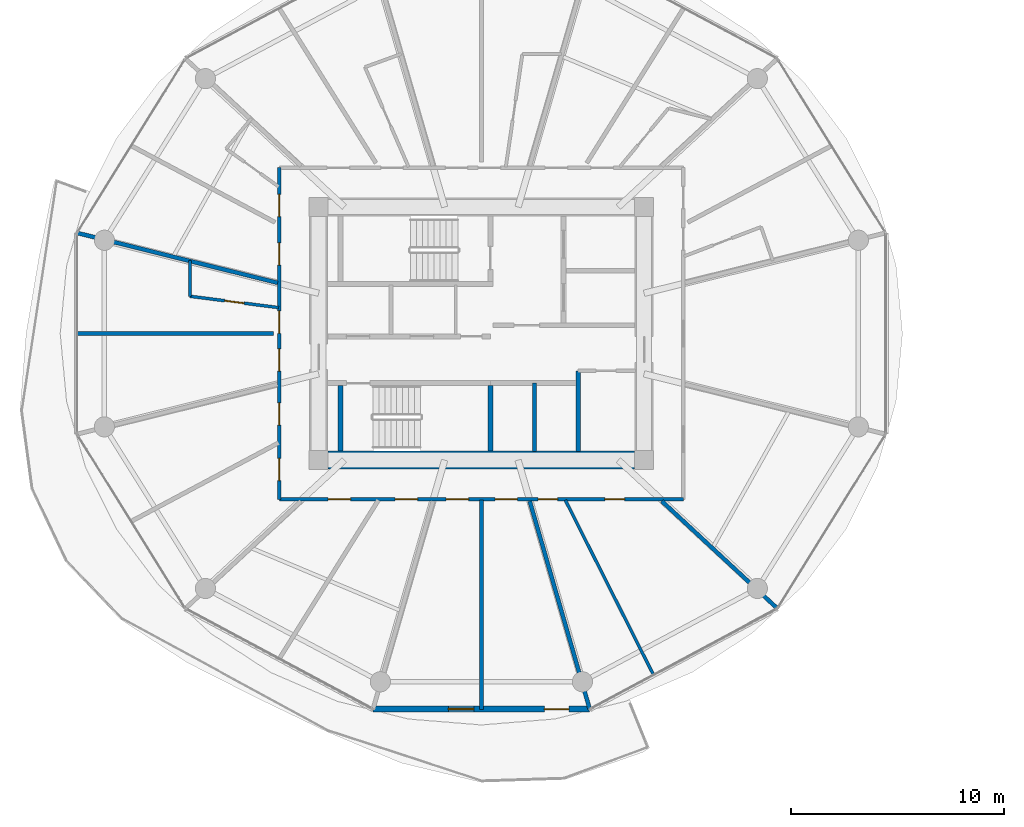
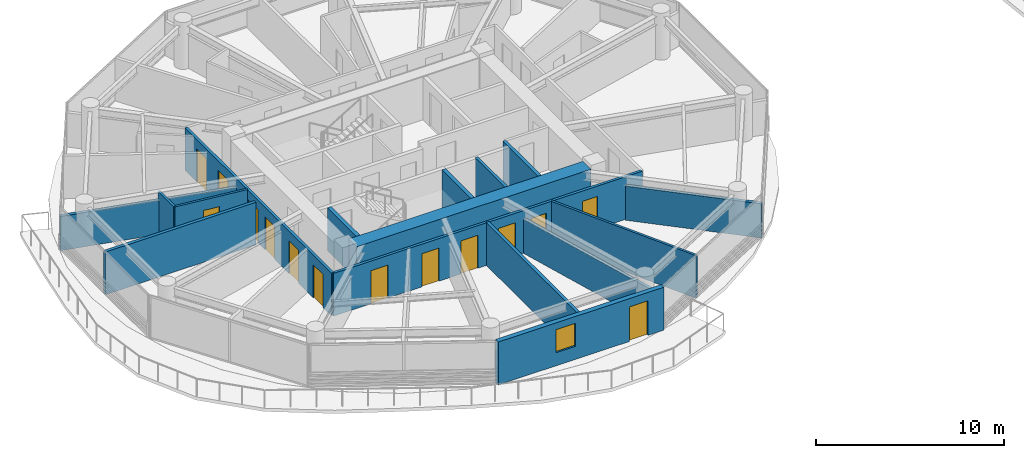
# One storey, part 15 of 27: 16 walls, 14 doors, 1 window, 15 openings.
"""IFC4 building model written with IfcOpenShell, lengths in metres."""

from ifc_helpers import new_model, si_unit, direction, frame, frame_2d, origin, place, context, subcontext, project, spatial, rectangle, extrude, source, transform, mapped, material, layer, layer_set, type_object, type_shapes, element, fill, save


model = new_model("IFC4")

# Units and contexts
model_context = context("Model", 3, precision=1e-05, world=origin(), true_north=direction((0.0, 1.0)))
body_context = subcontext(model_context, "Body", "Model", "MODEL_VIEW")
ifc_project = project(units=[si_unit("LENGTHUNIT", "METRE"), si_unit("AREAUNIT", "SQUARE_METRE"), si_unit("VOLUMEUNIT", "CUBIC_METRE"), si_unit("PLANEANGLEUNIT", "RADIAN"), si_unit("MASSUNIT", "GRAM", prefix="KILO")], contexts=[model_context])

# Site, building, storey
site_placement = place(None, origin())
site = spatial("IfcSite", under=ifc_project, at=site_placement, CompositionType="ELEMENT")
building_placement = place(site_placement, origin())
building = spatial("IfcBuilding", under=site, at=building_placement, Name="Norrkilde Senior Care Towers", CompositionType="ELEMENT")
storey_placement = place(building_placement, frame((0.0, 0.0, 46.0)))
storey = spatial("IfcBuildingStorey", under=building, at=storey_placement, Name="L13", CompositionType="ELEMENT", Elevation=46.0)

# Wall
ifc_material_1 = material(Name="Concrete C60/75", Category="concrete")
ifc_layer_1 = layer(ifc_material_1, 0.85009765625)
ifc_layer_set_1 = layer_set([ifc_layer_1], Name="Concrete C60/75")
wall_type_1 = type_object("IfcWallType", Name="Core Shear Wall Z1 850", PredefinedType="SHEAR", material=ifc_layer_set_1)
shared_shape_1 = source(origin(), body_context, "Body", "SweptSolid", [
    extrude(rectangle(XDim=14.39990234375, YDim=0.85009765625, at=frame_2d((7.199951171875, 0.0))), origin(), (0.0, 0.0, 1.0), 2.7900390625),
])
type_shapes(wall_type_1, [shared_shape_1])
wall_1_placement = place(storey_placement, frame((-20.800048828125, -5.949951171875, 0.0), z_axis=(0.0, 0.0, 1.0), x_axis=(-1.0, 0.0, 0.0)))
element("IfcWall", 1, at=wall_1_placement, inside=storey, type_object=wall_type_1, Name="L13 Core W South Shear Wall", PredefinedType="SHEAR", context=body_context, shape_type="MappedRepresentation", body=[
    mapped(shared_shape_1, transform((0.0, 0.0, 0.0), x_axis=(1.0, 0.0, 0.0), y_axis=(0.0, 1.0, 0.0), z_axis=(0.0, 0.0, 1.0), scale=1.0)),
])

# Wall, openings, door, window
ifc_material_2 = material(Name="Precast concrete C45/55", Category="concrete")
ifc_layer_2 = layer(ifc_material_2, 0.2900390625)
ifc_layer_set_2 = layer_set([ifc_layer_2], Name="Precast concrete C45/55")
wall_type_2 = type_object("IfcWallType", Name="Winter Garden Facade Wall 290", PredefinedType="SOLIDWALL", material=ifc_layer_set_2)
shared_shape_2 = source(origin(), body_context, "Body", "SweptSolid", [
    extrude(rectangle(XDim=10.18701171875, YDim=0.2900390625, at=frame_2d((5.093505859375, 0.0))), origin(), (0.0, 0.0, 1.0), 2.7900390625),
])
type_shapes(wall_type_2, [shared_shape_2])
wall_2_placement = place(storey_placement, frame((-22.906494140625, -17.6572265625, 0.0), z_axis=(0.0, 0.0, 1.0), x_axis=(-1.0, 0.0, 0.0)))
wall_2 = element("IfcWall", 2, at=wall_2_placement, inside=storey, type_object=wall_type_2, Name="L13 Drum W Balcony Access Wall 08", PredefinedType="SOLIDWALL", context=body_context, shape_type="MappedRepresentation", body=[
    mapped(shared_shape_2, transform((0.0, 0.0, 0.0), x_axis=(1.0, 0.0, 0.0), y_axis=(0.0, 1.0, 0.0), z_axis=(0.0, 0.0, 1.0), scale=1.0)),
])
opening_1_placement = place(wall_2_placement, frame((0.97998046875, 0.0, 0.0)))
opening_1 = element("IfcOpeningElement", 3, at=opening_1_placement, cuts=wall_2, Name="Opening D-09", PredefinedType="OPENING", context=body_context, shape_type="SweptSolid", body=[
    extrude(rectangle(XDim=1.14990234375, YDim=2.25, at=frame_2d((0.574951171875, 1.125))), frame((0.0, 0.155029296875, 0.0), z_axis=(0.0, -1.0, 0.0), x_axis=(1.0, 0.0, 0.0)), (0.0, 0.0, 1.0), 0.31005859375),
])
opening_2_placement = place(wall_2_placement, frame((5.443603515625, 0.0, 0.85009765625)))
opening_2 = element("IfcOpeningElement", 4, at=opening_2_placement, cuts=wall_2, Name="Opening WN-07", PredefinedType="OPENING", context=body_context, shape_type="SweptSolid", body=[
    extrude(rectangle(XDim=1.199951171875, YDim=1.5, at=frame_2d((0.60009765625, 0.75))), frame((0.0, 0.155029296875, 0.0), z_axis=(0.0, -1.0, 0.0), x_axis=(1.0, 0.0, 0.0)), (0.0, 0.0, 1.0), 0.31005859375),
])
ifc_material_3 = material(Name="Anodised Aluminium", Category="aluminium")
door_type_1 = type_object("IfcDoorType", Name="Terrace and Balcony Glazed Door 1150x2250", OperationType="NOTDEFINED", PredefinedType="DOOR", material=ifc_material_3)
shared_shape_3 = source(origin(), body_context, "Body", "SweptSolid", [
    extrude(rectangle(XDim=1.14990234375, YDim=2.25, at=frame_2d((0.574951171875, 1.125))), frame((0.0, 0.02490234375, 0.0), z_axis=(0.0, -1.0, 0.0), x_axis=(1.0, 0.0, 0.0)), (0.0, 0.0, 1.0), 0.050048828125),
])
type_shapes(door_type_1, [shared_shape_3])
door_1_placement = place(opening_1_placement, origin())
door_1 = element("IfcDoor", 5, at=door_1_placement, inside=storey, type_object=door_type_1, Name="L13 Drum W Outdoor Terrace Door 08", OperationType="SINGLE_SWING_LEFT", OverallHeight=2.25, OverallWidth=1.14990234375, PredefinedType="DOOR", context=body_context, shape_type="MappedRepresentation", body=[
    mapped(shared_shape_3, transform((0.0, 0.0, 0.0), x_axis=(1.0, 0.0, 0.0), y_axis=(0.0, 1.0, 0.0), z_axis=(0.0, 0.0, 1.0), scale=1.0)),
])
fill(opening_1, door_1)
ifc_material_4 = material(Name="Triple Low-E Insulated Glazing", Category="glass")
window_type = type_object("IfcWindowType", Name="Stairwell Smoke Vent Window 1200x1500", PartitioningType="SINGLE_PANEL", PredefinedType="WINDOW", material=ifc_material_4)
shared_shape_4 = source(origin(), body_context, "Body", "SweptSolid", [
    extrude(rectangle(XDim=1.199951171875, YDim=1.5, at=frame_2d((0.60009765625, 0.75))), frame((0.0, 0.030029296875, 0.0), z_axis=(0.0, -1.0, 0.0), x_axis=(1.0, 0.0, 0.0)), (0.0, 0.0, 1.0), 0.06005859375),
])
type_shapes(window_type, [shared_shape_4])
window_placement = place(opening_2_placement, origin())
window = element("IfcWindow", 6, at=window_placement, inside=storey, type_object=window_type, Name="L13 Drum W Winter Garden Window 08", OverallHeight=1.5, OverallWidth=1.199951171875, PartitioningType="SINGLE_PANEL", PredefinedType="WINDOW", context=body_context, shape_type="MappedRepresentation", body=[
    mapped(shared_shape_4, transform((0.0, 0.0, 0.0), x_axis=(1.0, 0.0, 0.0), y_axis=(0.0, 1.0, 0.0), z_axis=(0.0, 0.0, 1.0), scale=1.0)),
])
fill(opening_2, window)

# Walls
ifc_material_5 = material(Name="Concrete C45/55", Category="concrete")
ifc_layer_3 = layer(ifc_material_5, 0.199951171875)
ifc_layer_set_3 = layer_set([ifc_layer_3], Name="Concrete C45/55")
wall_type_3 = type_object("IfcWallType", Name="Shaft Division and Plant Partition 200", PredefinedType="PARTITIONING", material=ifc_layer_set_3)
shared_shape_5 = source(origin(), body_context, "Body", "SweptSolid", [
    extrude(rectangle(XDim=3.800048828125, YDim=0.199951171875, at=frame_2d((1.89990234375, 0.0))), origin(), (0.0, 0.0, 1.0), 2.77490234375),
])
type_shapes(wall_type_3, [shared_shape_5])
wall_3_placement = place(storey_placement, frame((-23.449951171875, -5.550048828125, 0.0), z_axis=(0.0, 0.0, 1.0), x_axis=(0.0, 1.0, 0.0)))
element("IfcWall", 7, at=wall_3_placement, inside=storey, type_object=wall_type_3, Name="WL-INT-L13-W-PKBE", PredefinedType="PARTITIONING", context=body_context, shape_type="MappedRepresentation", body=[
    mapped(shared_shape_5, transform((0.0, 0.0, 0.0), x_axis=(1.0, 0.0, 0.0), y_axis=(0.0, 1.0, 0.0), z_axis=(0.0, 0.0, 1.0), scale=1.0)),
])
ifc_layer_4 = layer(ifc_material_5, 0.179931640625)
ifc_layer_set_4 = layer_set([ifc_layer_4], Name="Concrete C45/55")
wall_type_4 = type_object("IfcWallType", Name="Hoistway Division Rated Partition 180", PredefinedType="PARTITIONING", material=ifc_layer_set_4)
shared_shape_6 = source(origin(), body_context, "Body", "SweptSolid", [
    extrude(rectangle(XDim=3.219970703125, YDim=0.179931640625, at=frame_2d((1.60986328125, 0.0))), origin(), (0.0, 0.0, 1.0), 2.77490234375),
])
type_shapes(wall_type_4, [shared_shape_6])
wall_4_placement = place(storey_placement, frame((-25.5, -5.550048828125, 0.0), z_axis=(0.0, 0.0, 1.0), x_axis=(0.0, 1.0, 0.0)))
element("IfcWall", 8, at=wall_4_placement, inside=storey, type_object=wall_type_4, Name="WL-INT-L13-W-PL34", PredefinedType="PARTITIONING", context=body_context, shape_type="MappedRepresentation", body=[
    mapped(shared_shape_6, transform((0.0, 0.0, 0.0), x_axis=(1.0, 0.0, 0.0), y_axis=(0.0, 1.0, 0.0), z_axis=(0.0, 0.0, 1.0), scale=1.0)),
])

# Wall, openings, doors
ifc_material_6 = material(Name="Gypsum Acoustic Board")
ifc_layer_5 = layer(ifc_material_6, 0.1650390625)
ifc_layer_set_5 = layer_set([ifc_layer_5], Name="Gypsum Acoustic Board")
wall_type_5 = type_object("IfcWallType", Name="Corridor Rated Partition 165", PredefinedType="PARTITIONING", material=ifc_layer_set_5)
shared_shape_7 = source(origin(), body_context, "Body", "SweptSolid", [
    extrude(rectangle(XDim=19.0, YDim=0.1650390625, at=frame_2d((9.5, 0.0))), origin(), (0.0, 0.0, 1.0), 2.77490234375),
])
wall_5_placement = place(storey_placement, frame((-18.5, -7.800048828125, 0.0), z_axis=(0.0, 0.0, 1.0), x_axis=(-1.0, 0.0, 0.0)))
wall_5 = element("IfcWall", 9, at=wall_5_placement, inside=storey, type_object=wall_type_5, Name="WL-INT-L13-W-CRW-S-0", PredefinedType="PARTITIONING", context=body_context, shape_type="MappedRepresentation", body=[
    mapped(shared_shape_7, transform((0.0, 0.0, 0.0), x_axis=(1.0, 0.0, 0.0), y_axis=(0.0, 1.0, 0.0), z_axis=(0.0, 0.0, 1.0), scale=1.0)),
])
opening_3_placement = place(wall_5_placement, frame((15.65185546875, 0.0, 0.0)))
opening_3 = element("IfcOpeningElement", 10, at=opening_3_placement, cuts=wall_5, Name="Opening D-06", PredefinedType="OPENING", context=body_context, shape_type="SweptSolid", body=[
    extrude(rectangle(XDim=1.050048828125, YDim=2.14990234375, at=frame_2d((0.52490234375, 1.074951171875))), frame((0.0, 0.092529296875, 0.0), z_axis=(0.0, -1.0, 0.0), x_axis=(1.0, 0.0, 0.0)), (0.0, 0.0, 1.0), 0.18505859375),
])
opening_4_placement = place(wall_5_placement, frame((12.5, 0.0, 0.0)))
opening_4 = element("IfcOpeningElement", 11, at=opening_4_placement, cuts=wall_5, Name="Opening D-06", PredefinedType="OPENING", context=body_context, shape_type="SweptSolid", body=[
    extrude(rectangle(XDim=1.050048828125, YDim=2.14990234375, at=frame_2d((0.52490234375, 1.074951171875))), frame((0.0, 0.092529296875, 0.0), z_axis=(0.0, -1.0, 0.0), x_axis=(1.0, 0.0, 0.0)), (0.0, 0.0, 1.0), 0.18505859375),
])
opening_5_placement = place(wall_5_placement, frame((10.103759765625, 0.0, 0.0)))
opening_5 = element("IfcOpeningElement", 12, at=opening_5_placement, cuts=wall_5, Name="Opening D-06", PredefinedType="OPENING", context=body_context, shape_type="SweptSolid", body=[
    extrude(rectangle(XDim=1.050048828125, YDim=2.14990234375, at=frame_2d((0.52490234375, 1.074951171875))), frame((0.0, 0.092529296875, 0.0), z_axis=(0.0, -1.0, 0.0), x_axis=(1.0, 0.0, 0.0)), (0.0, 0.0, 1.0), 0.18505859375),
])
opening_6_placement = place(wall_5_placement, frame((7.806396484375, 0.0, 0.0)))
opening_6 = element("IfcOpeningElement", 13, at=opening_6_placement, cuts=wall_5, Name="Opening D-06", PredefinedType="OPENING", context=body_context, shape_type="SweptSolid", body=[
    extrude(rectangle(XDim=1.050048828125, YDim=2.14990234375, at=frame_2d((0.52490234375, 1.074951171875))), frame((0.0, 0.092529296875, 0.0), z_axis=(0.0, -1.0, 0.0), x_axis=(1.0, 0.0, 0.0)), (0.0, 0.0, 1.0), 0.18505859375),
])
opening_7_placement = place(wall_5_placement, frame((5.915283203125, 0.0, 0.0)))
opening_7 = element("IfcOpeningElement", 14, at=opening_7_placement, cuts=wall_5, Name="Opening D-08", PredefinedType="OPENING", context=body_context, shape_type="SweptSolid", body=[
    extrude(rectangle(XDim=0.919921875, YDim=2.10009765625, at=frame_2d((0.4599609375, 1.050048828125))), frame((0.0, 0.092529296875, 0.0), z_axis=(0.0, -1.0, 0.0), x_axis=(1.0, 0.0, 0.0)), (0.0, 0.0, 1.0), 0.18505859375),
])
opening_8_placement = place(wall_5_placement, frame((2.76904296875, 0.0, 0.0)))
opening_8 = element("IfcOpeningElement", 15, at=opening_8_placement, cuts=wall_5, Name="Opening D-08", PredefinedType="OPENING", context=body_context, shape_type="SweptSolid", body=[
    extrude(rectangle(XDim=0.919921875, YDim=2.10009765625, at=frame_2d((0.4599609375, 1.050048828125))), frame((0.0, 0.092529296875, 0.0), z_axis=(0.0, -1.0, 0.0), x_axis=(1.0, 0.0, 0.0)), (0.0, 0.0, 1.0), 0.18505859375),
])
ifc_material_7 = material(Name="Nordic Ash Timber", Category="wood")
door_type_2 = type_object("IfcDoorType", Name="Accessible Wet Room Door 920x2100", OperationType="NOTDEFINED", PredefinedType="DOOR", material=ifc_material_7)
shared_shape_8 = source(origin(), body_context, "Body", "SweptSolid", [
    extrude(rectangle(XDim=0.919921875, YDim=2.10009765625, at=frame_2d((0.4599609375, 1.050048828125))), frame((0.0, 0.02490234375, 0.0), z_axis=(0.0, -1.0, 0.0), x_axis=(1.0, 0.0, 0.0)), (0.0, 0.0, 1.0), 0.050048828125),
])
type_shapes(door_type_2, [shared_shape_8])
door_2_placement = place(opening_7_placement, frame((0.919921875, 0.0, 0.0), z_axis=(0.0, 0.0, 1.0), x_axis=(-1.0, 0.0, 0.0)))
door_2 = element("IfcDoor", 16, at=door_2_placement, inside=storey, type_object=door_type_2, Name="L13 Accessible Restroom Door", OperationType="SINGLE_SWING_RIGHT", OverallHeight=2.10009765625, OverallWidth=0.919921875, PredefinedType="DOOR", context=body_context, shape_type="MappedRepresentation", body=[
    mapped(shared_shape_8, transform((0.0, 0.0, 0.0), x_axis=(1.0, 0.0, 0.0), y_axis=(0.0, 1.0, 0.0), z_axis=(0.0, 0.0, 1.0), scale=1.0)),
])
fill(opening_7, door_2)
door_3_placement = place(opening_8_placement, frame((0.919921875, 0.0, 0.0), z_axis=(0.0, 0.0, 1.0), x_axis=(-1.0, 0.0, 0.0)))
door_3 = element("IfcDoor", 17, at=door_3_placement, inside=storey, type_object=door_type_2, Name="L13 Public Restroom Door", OperationType="SINGLE_SWING_LEFT", OverallHeight=2.10009765625, OverallWidth=0.919921875, PredefinedType="DOOR", context=body_context, shape_type="MappedRepresentation", body=[
    mapped(shared_shape_8, transform((0.0, 0.0, 0.0), x_axis=(1.0, 0.0, 0.0), y_axis=(0.0, 1.0, 0.0), z_axis=(0.0, 0.0, 1.0), scale=1.0)),
])
fill(opening_8, door_3)
door_type_3 = type_object("IfcDoorType", Name="Apartment Entrance Fire Door 1050x2150", OperationType="NOTDEFINED", PredefinedType="DOOR", material=ifc_material_7)
shared_shape_9 = source(origin(), body_context, "Body", "SweptSolid", [
    extrude(rectangle(XDim=1.050048828125, YDim=2.14990234375, at=frame_2d((0.52490234375, 1.074951171875))), frame((0.0, 0.02490234375, 0.0), z_axis=(0.0, -1.0, 0.0), x_axis=(1.0, 0.0, 0.0)), (0.0, 0.0, 1.0), 0.050048828125),
])
type_shapes(door_type_3, [shared_shape_9])
door_4_placement = place(opening_3_placement, frame((1.050048828125, 0.0, 0.0), z_axis=(0.0, 0.0, 1.0), x_axis=(-1.0, 0.0, 0.0)))
door_4 = element("IfcDoor", 18, at=door_4_placement, inside=storey, type_object=door_type_3, Name="L13 Physiotherapy Clinic 7A Door", OperationType="SINGLE_SWING_RIGHT", OverallHeight=2.14990234375, OverallWidth=1.050048828125, PredefinedType="DOOR", context=body_context, shape_type="MappedRepresentation", body=[
    mapped(shared_shape_9, transform((0.0, 0.0, 0.0), x_axis=(1.0, 0.0, 0.0), y_axis=(0.0, 1.0, 0.0), z_axis=(0.0, 0.0, 1.0), scale=1.0)),
])
fill(opening_3, door_4)
door_5_placement = place(opening_4_placement, frame((1.050048828125, 0.0, 0.0), z_axis=(0.0, 0.0, 1.0), x_axis=(-1.0, 0.0, 0.0)))
door_5 = element("IfcDoor", 19, at=door_5_placement, inside=storey, type_object=door_type_3, Name="L13 Assessment Clinic 7B Door", OperationType="SINGLE_SWING_LEFT", OverallHeight=2.14990234375, OverallWidth=1.050048828125, PredefinedType="DOOR", context=body_context, shape_type="MappedRepresentation", body=[
    mapped(shared_shape_9, transform((0.0, 0.0, 0.0), x_axis=(1.0, 0.0, 0.0), y_axis=(0.0, 1.0, 0.0), z_axis=(0.0, 0.0, 1.0), scale=1.0)),
])
fill(opening_4, door_5)
door_6_placement = place(opening_5_placement, frame((1.050048828125, 0.0, 0.0), z_axis=(0.0, 0.0, 1.0), x_axis=(-1.0, 0.0, 0.0)))
door_6 = element("IfcDoor", 20, at=door_6_placement, inside=storey, type_object=door_type_3, Name="L13 Physiotherapy Clinic 8A Door", OperationType="SINGLE_SWING_LEFT", OverallHeight=2.14990234375, OverallWidth=1.050048828125, PredefinedType="DOOR", context=body_context, shape_type="MappedRepresentation", body=[
    mapped(shared_shape_9, transform((0.0, 0.0, 0.0), x_axis=(1.0, 0.0, 0.0), y_axis=(0.0, 1.0, 0.0), z_axis=(0.0, 0.0, 1.0), scale=1.0)),
])
fill(opening_5, door_6)
door_7_placement = place(opening_6_placement, frame((1.050048828125, 0.0, 0.0), z_axis=(0.0, 0.0, 1.0), x_axis=(-1.0, 0.0, 0.0)))
door_7 = element("IfcDoor", 21, at=door_7_placement, inside=storey, type_object=door_type_3, Name="L13 Assessment Clinic 8B Door", OperationType="SINGLE_SWING_RIGHT", OverallHeight=2.14990234375, OverallWidth=1.050048828125, PredefinedType="DOOR", context=body_context, shape_type="MappedRepresentation", body=[
    mapped(shared_shape_9, transform((0.0, 0.0, 0.0), x_axis=(1.0, 0.0, 0.0), y_axis=(0.0, 1.0, 0.0), z_axis=(0.0, 0.0, 1.0), scale=1.0)),
])
fill(opening_6, door_7)

shared_shape_10 = source(origin(), body_context, "Body", "SweptSolid", [
    extrude(rectangle(XDim=15.60009765625, YDim=0.1650390625, at=frame_2d((7.800048828125, 0.0))), origin(), (0.0, 0.0, 1.0), 2.77490234375),
])
type_shapes(wall_type_5, [shared_shape_7, shared_shape_10])
wall_6_placement = place(storey_placement, frame((-37.5, -7.800048828125, 0.0), z_axis=(0.0, 0.0, 1.0), x_axis=(0.0, 1.0, 0.0)))
wall_6 = element("IfcWall", 22, at=wall_6_placement, inside=storey, type_object=wall_type_5, Name="WL-INT-L13-W-CRW-W-0", PredefinedType="PARTITIONING", context=body_context, shape_type="MappedRepresentation", body=[
    mapped(shared_shape_10, transform((0.0, 0.0, 0.0), x_axis=(1.0, 0.0, 0.0), y_axis=(0.0, 1.0, 0.0), z_axis=(0.0, 0.0, 1.0), scale=1.0)),
])
opening_9_placement = place(wall_6_placement, frame((13.293212890625, 0.0, 0.0)))
opening_9 = element("IfcOpeningElement", 23, at=opening_9_placement, cuts=wall_6, Name="Opening D-06", PredefinedType="OPENING", context=body_context, shape_type="SweptSolid", body=[
    extrude(rectangle(XDim=1.050048828125, YDim=2.14990234375, at=frame_2d((0.52490234375, 1.074951171875))), frame((0.0, 0.092529296875, 0.0), z_axis=(0.0, -1.0, 0.0), x_axis=(1.0, 0.0, 0.0)), (0.0, 0.0, 1.0), 0.18505859375),
])
opening_10_placement = place(wall_6_placement, frame((11.017822265625, 0.0, 0.0)))
opening_10 = element("IfcOpeningElement", 24, at=opening_10_placement, cuts=wall_6, Name="Opening D-06", PredefinedType="OPENING", context=body_context, shape_type="SweptSolid", body=[
    extrude(rectangle(XDim=1.050048828125, YDim=2.14990234375, at=frame_2d((0.52490234375, 1.074951171875))), frame((0.0, 0.092529296875, 0.0), z_axis=(0.0, -1.0, 0.0), x_axis=(1.0, 0.0, 0.0)), (0.0, 0.0, 1.0), 0.18505859375),
])
opening_11_placement = place(wall_6_placement, frame((7.811767578125, 0.0, 0.0)))
opening_11 = element("IfcOpeningElement", 25, at=opening_11_placement, cuts=wall_6, Name="Opening D-06", PredefinedType="OPENING", context=body_context, shape_type="SweptSolid", body=[
    extrude(rectangle(XDim=1.050048828125, YDim=2.14990234375, at=frame_2d((0.52490234375, 1.074951171875))), frame((0.0, 0.092529296875, 0.0), z_axis=(0.0, -1.0, 0.0), x_axis=(1.0, 0.0, 0.0)), (0.0, 0.0, 1.0), 0.18505859375),
])
opening_12_placement = place(wall_6_placement, frame((6.03466796875, 0.0, 0.0)))
opening_12 = element("IfcOpeningElement", 26, at=opening_12_placement, cuts=wall_6, Name="Opening D-06", PredefinedType="OPENING", context=body_context, shape_type="SweptSolid", body=[
    extrude(rectangle(XDim=1.050048828125, YDim=2.14990234375, at=frame_2d((0.52490234375, 1.074951171875))), frame((0.0, 0.092529296875, 0.0), z_axis=(0.0, -1.0, 0.0), x_axis=(1.0, 0.0, 0.0)), (0.0, 0.0, 1.0), 0.18505859375),
])
opening_13_placement = place(wall_6_placement, frame((3.489013671875, 0.0, 0.0)))
opening_13 = element("IfcOpeningElement", 27, at=opening_13_placement, cuts=wall_6, Name="Opening D-06", PredefinedType="OPENING", context=body_context, shape_type="SweptSolid", body=[
    extrude(rectangle(XDim=1.050048828125, YDim=2.14990234375, at=frame_2d((0.52490234375, 1.074951171875))), frame((0.0, 0.092529296875, 0.0), z_axis=(0.0, -1.0, 0.0), x_axis=(1.0, 0.0, 0.0)), (0.0, 0.0, 1.0), 0.18505859375),
])
opening_14_placement = place(wall_6_placement, frame((0.881591796875, 0.0, 0.0)))
opening_14 = element("IfcOpeningElement", 28, at=opening_14_placement, cuts=wall_6, Name="Opening D-06", PredefinedType="OPENING", context=body_context, shape_type="SweptSolid", body=[
    extrude(rectangle(XDim=1.050048828125, YDim=2.14990234375, at=frame_2d((0.52490234375, 1.074951171875))), frame((0.0, 0.092529296875, 0.0), z_axis=(0.0, -1.0, 0.0), x_axis=(1.0, 0.0, 0.0)), (0.0, 0.0, 1.0), 0.18505859375),
])
door_8_placement = place(opening_9_placement, frame((1.050048828125, 0.0, 0.0), z_axis=(0.0, 0.0, 1.0), x_axis=(-1.0, 0.0, 0.0)))
door_8 = element("IfcDoor", 29, at=door_8_placement, inside=storey, type_object=door_type_3, Name="L13 Care Suite 1304A Entrance Door", OperationType="SINGLE_SWING_RIGHT", OverallHeight=2.14990234375, OverallWidth=1.050048828125, PredefinedType="DOOR", context=body_context, shape_type="MappedRepresentation", body=[
    mapped(shared_shape_9, transform((0.0, 0.0, 0.0), x_axis=(1.0, 0.0, 0.0), y_axis=(0.0, 1.0, 0.0), z_axis=(0.0, 0.0, 1.0), scale=1.0)),
])
fill(opening_9, door_8)
door_9_placement = place(opening_10_placement, frame((1.050048828125, 0.0, 0.0), z_axis=(0.0, 0.0, 1.0), x_axis=(-1.0, 0.0, 0.0)))
door_9 = element("IfcDoor", 30, at=door_9_placement, inside=storey, type_object=door_type_3, Name="L13 Therapy Day Lounge 04 Door", OperationType="SINGLE_SWING_RIGHT", OverallHeight=2.14990234375, OverallWidth=1.050048828125, PredefinedType="DOOR", context=body_context, shape_type="MappedRepresentation", body=[
    mapped(shared_shape_9, transform((0.0, 0.0, 0.0), x_axis=(1.0, 0.0, 0.0), y_axis=(0.0, 1.0, 0.0), z_axis=(0.0, 0.0, 1.0), scale=1.0)),
])
fill(opening_10, door_9)
door_10_placement = place(opening_11_placement, frame((1.050048828125, 0.0, 0.0), z_axis=(0.0, 0.0, 1.0), x_axis=(-1.0, 0.0, 0.0)))
door_10 = element("IfcDoor", 31, at=door_10_placement, inside=storey, type_object=door_type_3, Name="L13 Care Suite 1305A Entrance Door", OperationType="SINGLE_SWING_LEFT", OverallHeight=2.14990234375, OverallWidth=1.050048828125, PredefinedType="DOOR", context=body_context, shape_type="MappedRepresentation", body=[
    mapped(shared_shape_9, transform((0.0, 0.0, 0.0), x_axis=(1.0, 0.0, 0.0), y_axis=(0.0, 1.0, 0.0), z_axis=(0.0, 0.0, 1.0), scale=1.0)),
])
fill(opening_11, door_10)
door_11_placement = place(opening_12_placement, frame((1.050048828125, 0.0, 0.0), z_axis=(0.0, 0.0, 1.0), x_axis=(-1.0, 0.0, 0.0)))
door_11 = element("IfcDoor", 32, at=door_11_placement, inside=storey, type_object=door_type_3, Name="L13 Therapy Day Lounge 05 Door", OperationType="SINGLE_SWING_LEFT", OverallHeight=2.14990234375, OverallWidth=1.050048828125, PredefinedType="DOOR", context=body_context, shape_type="MappedRepresentation", body=[
    mapped(shared_shape_9, transform((0.0, 0.0, 0.0), x_axis=(1.0, 0.0, 0.0), y_axis=(0.0, 1.0, 0.0), z_axis=(0.0, 0.0, 1.0), scale=1.0)),
])
fill(opening_12, door_11)
door_12_placement = place(opening_13_placement, frame((1.050048828125, 0.0, 0.0), z_axis=(0.0, 0.0, 1.0), x_axis=(-1.0, 0.0, 0.0)))
door_12 = element("IfcDoor", 33, at=door_12_placement, inside=storey, type_object=door_type_3, Name="L13 Physiotherapy Clinic 6A Door", OperationType="SINGLE_SWING_LEFT", OverallHeight=2.14990234375, OverallWidth=1.050048828125, PredefinedType="DOOR", context=body_context, shape_type="MappedRepresentation", body=[
    mapped(shared_shape_9, transform((0.0, 0.0, 0.0), x_axis=(1.0, 0.0, 0.0), y_axis=(0.0, 1.0, 0.0), z_axis=(0.0, 0.0, 1.0), scale=1.0)),
])
fill(opening_13, door_12)
door_13_placement = place(opening_14_placement, frame((1.050048828125, 0.0, 0.0), z_axis=(0.0, 0.0, 1.0), x_axis=(-1.0, 0.0, 0.0)))
door_13 = element("IfcDoor", 34, at=door_13_placement, inside=storey, type_object=door_type_3, Name="L13 Assessment Clinic 6B Door", OperationType="SINGLE_SWING_RIGHT", OverallHeight=2.14990234375, OverallWidth=1.050048828125, PredefinedType="DOOR", context=body_context, shape_type="MappedRepresentation", body=[
    mapped(shared_shape_9, transform((0.0, 0.0, 0.0), x_axis=(1.0, 0.0, 0.0), y_axis=(0.0, 1.0, 0.0), z_axis=(0.0, 0.0, 1.0), scale=1.0)),
])
fill(opening_14, door_13)

# Walls
ifc_layer_6 = layer(ifc_material_6, 0.18994140625)
ifc_layer_set_6 = layer_set([ifc_layer_6], Name="Gypsum Acoustic Board")
wall_type_6 = type_object("IfcWallType", Name="Unit Demising Acoustic Wall 190", PredefinedType="PARTITIONING", material=ifc_layer_set_6)
shared_shape_11 = source(origin(), body_context, "Body", "SweptSolid", [
    extrude(rectangle(XDim=9.846435546875, YDim=0.18994140625, at=frame_2d((4.92333984375, 0.0))), origin(), (0.0, 0.0, 1.0), 2.77490234375),
])
wall_7_placement = place(storey_placement, frame((-28.0, -7.830078125, 0.0), z_axis=(0.0, 0.0, 1.0), x_axis=(0.0, -1.0, 0.0)))
element("IfcWall", 35, at=wall_7_placement, inside=storey, type_object=wall_type_6, Name="WL-INT-L13-W-MID-08", PredefinedType="PARTITIONING", context=body_context, shape_type="MappedRepresentation", body=[
    mapped(shared_shape_11, transform((0.0, 0.0, 0.0), x_axis=(1.0, 0.0, 0.0), y_axis=(0.0, 1.0, 0.0), z_axis=(0.0, 0.0, 1.0), scale=1.0)),
])
ifc_layer_7 = layer(ifc_material_6, 0.139892578125)
ifc_layer_set_7 = layer_set([ifc_layer_7], Name="Gypsum Acoustic Board")
wall_type_7 = type_object("IfcWallType", Name="En-suite Wet Room Wall 140", PredefinedType="PARTITIONING", material=ifc_layer_set_7)
shared_shape_12 = source(origin(), body_context, "Body", "SweptSolid", [
    extrude(rectangle(XDim=9.22509765625, YDim=0.139892578125, at=frame_2d((4.612548828125, 0.0))), origin(), (0.0, 0.0, 1.0), 2.77490234375),
])
wall_8_placement = place(storey_placement, frame((-24.05419921875, -7.830078125, 0.0), z_axis=(0.0, 0.0, 1.0), x_axis=(0.450460543767, -0.892796336523, 0.0)))
element("IfcWall", 36, at=wall_8_placement, inside=storey, type_object=wall_type_7, Name="WL-INT-L13-W-MID-09", PredefinedType="PARTITIONING", context=body_context, shape_type="MappedRepresentation", body=[
    mapped(shared_shape_12, transform((0.0, 0.0, 0.0), x_axis=(1.0, 0.0, 0.0), y_axis=(0.0, 1.0, 0.0), z_axis=(0.0, 0.0, 1.0), scale=1.0)),
])
ifc_layer_8 = layer(ifc_material_5, 0.239990234375)
ifc_layer_set_8 = layer_set([ifc_layer_8], Name="Concrete C45/55")
wall_type_8 = type_object("IfcWallType", Name="Shaft and Stair Enclosure Wall 240", PredefinedType="PARTITIONING", material=ifc_layer_set_8)
shared_shape_13 = source(origin(), body_context, "Body", "SweptSolid", [
    extrude(rectangle(XDim=3.074951171875, YDim=0.239990234375, at=frame_2d((1.53759765625, 0.0))), origin(), (0.0, 0.0, 1.0), 2.7900390625),
])
type_shapes(wall_type_8, [shared_shape_13])
for number, where, z_axis, x_axis, name in (
    (37, (-34.6201171875, -5.52490234375, 0.0), (0.0, 0.0, 1.0), (0.0, 1.0, 0.0), "WL-INT-L13-W-ST2W"),
    (38, (-27.580078125, -5.52490234375, 0.0), (0.0, 0.0, 1.0), (0.0, 1.0, 0.0), "WL-INT-L13-W-ST2E"),
):
    element("IfcWall", number, at=place(storey_placement, frame(where, z_axis=z_axis, x_axis=x_axis)), inside=storey, type_object=wall_type_8, Name=name, PredefinedType="PARTITIONING", context=body_context, shape_type="MappedRepresentation", body=[
        mapped(shared_shape_13, transform((0.0, 0.0, 0.0), x_axis=(1.0, 0.0, 0.0), y_axis=(0.0, 1.0, 0.0), z_axis=(0.0, 0.0, 1.0), scale=1.0)),
    ])
shared_shape_14 = source(origin(), body_context, "Body", "SweptSolid", [
    extrude(rectangle(XDim=7.4345703125, YDim=0.18994140625, at=frame_2d((3.71728515625, 0.0))), origin(), (0.0, 0.0, 1.0), 2.22509765625),
])
wall_9_placement = place(storey_placement, frame((-19.51708984375, -7.8798828125, 0.0), z_axis=(0.0, 0.0, 1.0), x_axis=(0.732651956848, -0.680603489652, 0.0)))
element("IfcWall", 39, at=wall_9_placement, inside=storey, type_object=wall_type_6, Name="WL-INT-L13-W-DEM-10-0", PredefinedType="PARTITIONING", context=body_context, shape_type="MappedRepresentation", body=[
    mapped(shared_shape_14, transform((0.0, 0.0, 0.0), x_axis=(1.0, 0.0, 0.0), y_axis=(0.0, 1.0, 0.0), z_axis=(0.0, 0.0, 1.0), scale=1.0)),
])
shared_shape_15 = source(origin(), body_context, "Body", "SweptSolid", [
    extrude(rectangle(XDim=10.196044921875, YDim=0.18994140625, at=frame_2d((5.09814453125, 0.0))), origin(), (0.0, 0.0, 1.0), 2.22509765625),
])
wall_10_placement = place(storey_placement, frame((-25.72705078125, -7.8798828125, 0.0), z_axis=(0.0, 0.0, 1.0), x_axis=(0.277136420347, -0.960830580549, 0.0)))
element("IfcWall", 40, at=wall_10_placement, inside=storey, type_object=wall_type_6, Name="WL-INT-L13-W-DEM-09-0", PredefinedType="PARTITIONING", context=body_context, shape_type="MappedRepresentation", body=[
    mapped(shared_shape_15, transform((0.0, 0.0, 0.0), x_axis=(1.0, 0.0, 0.0), y_axis=(0.0, 1.0, 0.0), z_axis=(0.0, 0.0, 1.0), scale=1.0)),
])
shared_shape_16 = source(origin(), body_context, "Body", "SweptSolid", [
    extrude(rectangle(XDim=9.737060546875, YDim=0.18994140625, at=frame_2d((4.86865234375, 0.0))), origin(), (0.0, 0.0, 1.0), 2.22509765625),
])
wall_11_placement = place(storey_placement, frame((-37.580078125, 2.384521484375, 0.0), z_axis=(0.0, 0.0, 1.0), x_axis=(-0.970392716238, 0.241532557375, 0.0)))
element("IfcWall", 41, at=wall_11_placement, inside=storey, type_object=wall_type_6, Name="WL-INT-L13-W-DEM-05-0", PredefinedType="PARTITIONING", context=body_context, shape_type="MappedRepresentation", body=[
    mapped(shared_shape_16, transform((0.0, 0.0, 0.0), x_axis=(1.0, 0.0, 0.0), y_axis=(0.0, 1.0, 0.0), z_axis=(0.0, 0.0, 1.0), scale=1.0)),
])
shared_shape_17 = source(origin(), body_context, "Body", "SweptSolid", [
    extrude(rectangle(XDim=9.261474609375, YDim=0.18994140625, at=frame_2d((4.630859375, 0.0))), origin(), (0.0, 0.0, 1.0), 2.77490234375),
])
type_shapes(wall_type_6, [shared_shape_11, shared_shape_14, shared_shape_15, shared_shape_16, shared_shape_17])
wall_12_placement = place(storey_placement, frame((-37.767333984375, 0.0, 0.0), z_axis=(0.0, 0.0, 1.0), x_axis=(-1.0, 0.0, 0.0)))
element("IfcWall", 42, at=wall_12_placement, inside=storey, type_object=wall_type_6, Name="WL-INT-L13-W-CMID-05", PredefinedType="PARTITIONING", context=body_context, shape_type="MappedRepresentation", body=[
    mapped(shared_shape_17, transform((0.0, 0.0, 0.0), x_axis=(1.0, 0.0, 0.0), y_axis=(0.0, 1.0, 0.0), z_axis=(0.0, 0.0, 1.0), scale=1.0)),
])

# Wall, opening, door
shared_shape_18 = source(origin(), body_context, "Body", "SweptSolid", [
    extrude(rectangle(XDim=4.2099609375, YDim=0.139892578125, at=frame_2d((2.10498046875, 0.0))), origin(), (0.0, 0.0, 1.0), 2.77490234375),
])
wall_13_placement = place(storey_placement, frame((-37.530029296875, 1.218994140625, 0.0), z_axis=(0.0, 0.0, 1.0), x_axis=(-0.991917821325, 0.126881975625, 0.0)))
wall_13 = element("IfcWall", 43, at=wall_13_placement, inside=storey, type_object=wall_type_7, Name="WL-INT-L13-W-ES-05A", PredefinedType="PARTITIONING", context=body_context, shape_type="MappedRepresentation", body=[
    mapped(shared_shape_18, transform((0.0, 0.0, 0.0), x_axis=(1.0, 0.0, 0.0), y_axis=(0.0, 1.0, 0.0), z_axis=(0.0, 0.0, 1.0), scale=1.0)),
])
opening_15_placement = place(wall_13_placement, frame((1.64501953125, 0.0, 0.0)))
opening_15 = element("IfcOpeningElement", 44, at=opening_15_placement, cuts=wall_13, Name="Opening D-08", PredefinedType="OPENING", context=body_context, shape_type="SweptSolid", body=[
    extrude(rectangle(XDim=0.919921875, YDim=2.10009765625, at=frame_2d((0.4599609375, 1.050048828125))), frame((0.0, 0.079833984375, 0.0), z_axis=(0.0, -1.0, 0.0), x_axis=(1.0, 0.0, 0.0)), (0.0, 0.0, 1.0), 0.159912109375),
])
door_14_placement = place(opening_15_placement, origin())
door_14 = element("IfcDoor", 45, at=door_14_placement, inside=storey, type_object=door_type_2, Name="L13 Care Suite 1305A Bathroom Door", OperationType="SINGLE_SWING_RIGHT", OverallHeight=2.10009765625, OverallWidth=0.919921875, PredefinedType="DOOR", context=body_context, shape_type="MappedRepresentation", body=[
    mapped(shared_shape_8, transform((0.0, 0.0, 0.0), x_axis=(1.0, 0.0, 0.0), y_axis=(0.0, 1.0, 0.0), z_axis=(0.0, 0.0, 1.0), scale=1.0)),
])
fill(opening_15, door_14)

# Wall
shared_shape_19 = source(origin(), body_context, "Body", "SweptSolid", [
    extrude(rectangle(XDim=1.674560546875, YDim=0.139892578125, at=frame_2d((0.83740234375, 0.0))), origin(), (0.0, 0.0, 1.0), 2.77490234375),
])
type_shapes(wall_type_7, [shared_shape_12, shared_shape_18, shared_shape_19])
wall_14_placement = place(storey_placement, frame((-41.7060546875, 1.753173828125, 0.0), z_axis=(0.0, 0.0, 1.0), x_axis=(0.003644821977, 0.999993357614, 0.0)))
element("IfcWall", 46, at=wall_14_placement, inside=storey, type_object=wall_type_7, Name="WL-INT-L13-W-EF-05A", PredefinedType="PARTITIONING", context=body_context, shape_type="MappedRepresentation", body=[
    mapped(shared_shape_19, transform((0.0, 0.0, 0.0), x_axis=(1.0, 0.0, 0.0), y_axis=(0.0, 1.0, 0.0), z_axis=(0.0, 0.0, 1.0), scale=1.0)),
])

save(model, "model.ifc")
